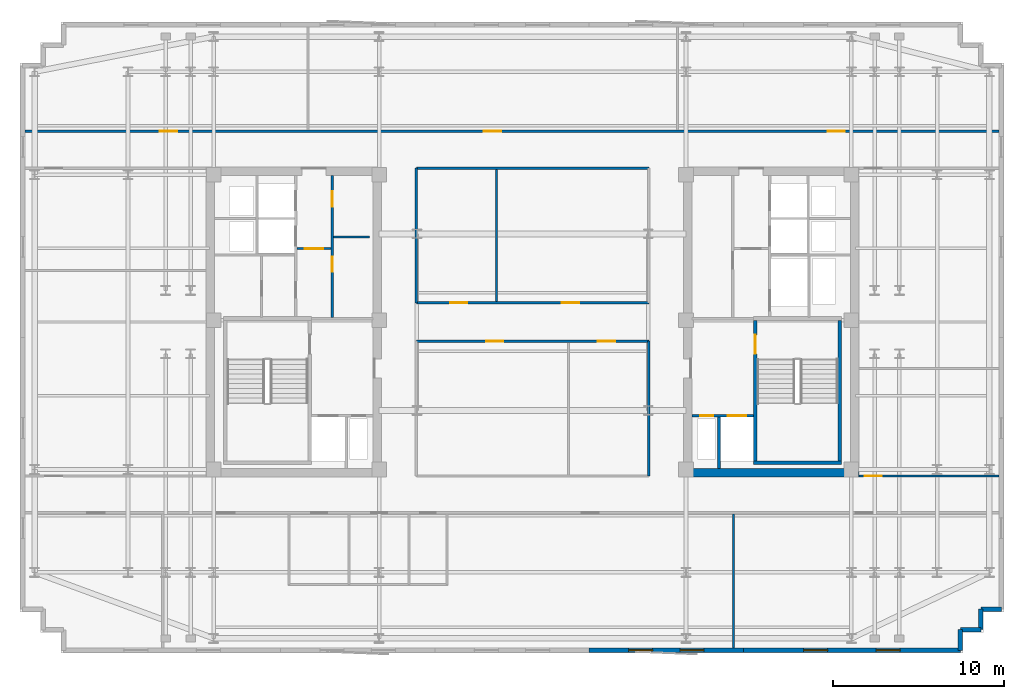
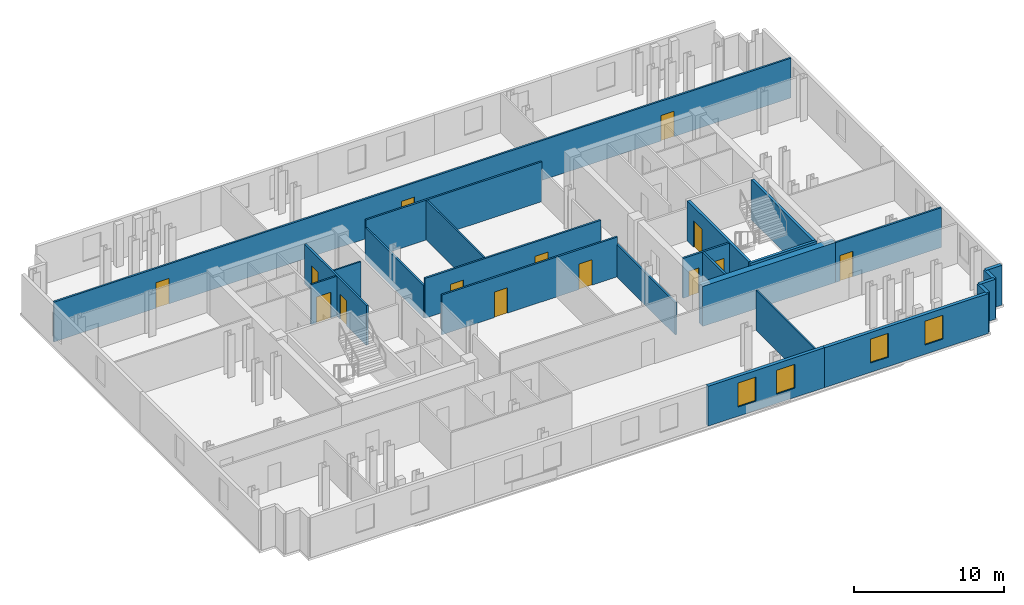
# One storey, part 5 of 9: 24 walls, 14 doors, 4 windows, 18 openings.
"""IFC4 building model written with IfcOpenShell, lengths in metres."""

from ifc_helpers import new_model, si_unit, direction, frame, frame_2d, origin, place, context, subcontext, project, spatial, rectangle, extrude, material, layer, layer_set, type_object, element, fill, save


model = new_model("IFC4")

# Units and contexts
model_context = context("Model", 3, precision=1e-05, world=origin(), true_north=direction((0.0, 1.0)))
body_context = subcontext(model_context, "Body", "Model", "MODEL_VIEW")
ifc_project = project(units=[si_unit("LENGTHUNIT", "METRE"), si_unit("AREAUNIT", "SQUARE_METRE"), si_unit("VOLUMEUNIT", "CUBIC_METRE"), si_unit("PLANEANGLEUNIT", "RADIAN"), si_unit("MASSUNIT", "GRAM", prefix="KILO")], contexts=[model_context])

# Site, building, storey
site_placement = place(None, origin())
site = spatial("IfcSite", under=ifc_project, at=site_placement, CompositionType="ELEMENT")
building_placement = place(site_placement, origin())
building = spatial("IfcBuilding", under=site, at=building_placement, Name="Velakula Bourse", CompositionType="ELEMENT")
storey_placement = place(building_placement, frame((0.0, 0.0, 211.949951171875)))
storey = spatial("IfcBuildingStorey", under=building, at=storey_placement, Name="L57", CompositionType="ELEMENT", Elevation=211.949951171875)

# Wall, opening, door
ifc_material_1 = material(Name="Concrete M50 (fck 50 MPa)", Category="concrete")
ifc_layer_1 = layer(ifc_material_1, 0.2099609375, Name="Concrete M50 (fck 50 MPa)", Category="concrete")
ifc_layer_set_1 = layer_set([ifc_layer_1], Name="Concrete M50 (fck 50 MPa)")
wall_type_1 = type_object("IfcWallType", Name="WL-CORE-210", PredefinedType="SHEAR", material=ifc_layer_set_1)
wall_1_placement = place(storey_placement, frame((12.9951171875, -8.10009765625, 0.0), z_axis=(0.0, 0.0, 1.0), x_axis=(0.0, 1.0, 0.0)))
wall_1 = element("IfcWall", 1, at=wall_1_placement, inside=storey, type_object=wall_type_1, Name="L57 Core E Stairwell Shear Wall IN", PredefinedType="SHEAR", context=body_context, shape_type="SweptSolid", body=[
    extrude(rectangle(XDim=8.2001953125, YDim=0.2099609375, at=frame_2d((4.10009765625, 0.0))), origin(), (0.0, 0.0, 1.0), 3.27001953125),
])
opening_1_placement = place(wall_1_placement, frame((6.25, 0.0, 0.0)))
opening_1 = element("IfcOpeningElement", 2, at=opening_1_placement, cuts=wall_1, Name="Opening D-STE1", PredefinedType="OPENING", context=body_context, shape_type="SweptSolid", body=[
    extrude(rectangle(XDim=1.10009765625, YDim=2.14990234375, at=frame_2d((0.550048828125, 1.074951171875))), frame((0.0, 0.114990234375, 0.0), z_axis=(0.0, -1.0, 0.0), x_axis=(1.0, 0.0, 0.0)), (0.0, 0.0, 1.0), 0.22998046875),
])
ifc_material_2 = material(Name="Galvanised painted hollow steel fire door", Category="steel")
door_type_1 = type_object("IfcDoorType", Name="DR-FD120-1100x2150", OperationType="NOTDEFINED", PredefinedType="DOOR", material=ifc_material_2)
door_1_placement = place(opening_1_placement, origin())
door_1 = element("IfcDoor", 3, at=door_1_placement, inside=storey, type_object=door_type_1, Name="L57 Stair ST-E1 Fire Door", OperationType="SINGLE_SWING_RIGHT", OverallHeight=2.14990234375, OverallWidth=1.10009765625, PredefinedType="DOOR", context=body_context, shape_type="SweptSolid", body=[
    extrude(rectangle(XDim=1.10009765625, YDim=2.14990234375, at=frame_2d((0.550048828125, 1.074951171875))), frame((0.0, 0.02490234375, 0.0), z_axis=(0.0, -1.0, 0.0), x_axis=(1.0, 0.0, 0.0)), (0.0, 0.0, 1.0), 0.050048828125),
])
fill(opening_1, door_1)

# Walls
wall_2_placement = place(storey_placement, frame((17.925048828125, -8.10009765625, 0.0), z_axis=(0.0, 0.0, 1.0), x_axis=(0.0, 1.0, 0.0)))
element("IfcWall", 4, at=wall_2_placement, inside=storey, type_object=wall_type_1, Name="L57 Core E Stairwell Shear Wall OUT", PredefinedType="SHEAR", context=body_context, shape_type="SweptSolid", body=[
    extrude(rectangle(XDim=8.2001953125, YDim=0.2099609375, at=frame_2d((4.10009765625, 0.0))), origin(), (0.0, 0.0, 1.0), 3.27001953125),
])
wall_3_placement = place(storey_placement, frame((12.889892578125, -8.205078125, 0.0), z_axis=(0.0, 0.0, 1.0), x_axis=(1.0, 0.0, 0.0)))
element("IfcWall", 5, at=wall_3_placement, inside=storey, type_object=wall_type_1, Name="L57 Core E Stairwell Shear Wall S", PredefinedType="SHEAR", context=body_context, shape_type="SweptSolid", body=[
    extrude(rectangle(XDim=5.14013671875, YDim=0.2099609375, at=frame_2d((2.570068359375, 0.0))), origin(), (0.0, 0.0, 1.0), 3.27001953125),
])
ifc_layer_2 = layer(ifc_material_1, 0.5, Name="Concrete M50 (fck 50 MPa)", Category="concrete")
ifc_layer_set_2 = layer_set([ifc_layer_2], Name="Concrete M50 (fck 50 MPa)")
wall_type_2 = type_object("IfcWallType", Name="WL-CORE-500", PredefinedType="SHEAR", material=ifc_layer_set_2)
wall_4_placement = place(storey_placement, frame((8.800048828125, -8.800048828125, 0.0), z_axis=(0.0, 0.0, 1.0), x_axis=(1.0, 0.0, 0.0)))
element("IfcWall", 6, at=wall_4_placement, inside=storey, type_object=wall_type_2, Name="L57 Core E Shear Wall S", PredefinedType="SHEAR", context=body_context, shape_type="SweptSolid", body=[
    extrude(rectangle(XDim=10.25, YDim=0.5, at=frame_2d((5.125, 0.0))), origin(), (0.0, 0.0, 1.0), 3.27001953125),
])

# Wall, openings, windows
ifc_material_3 = material(Name="Buff kilned clay facing brick masonry", Category="masonry")
ifc_layer_3 = layer(ifc_material_3, 0.260009765625, Name="Buff kilned clay facing brick masonry", Category="masonry")
ifc_layer_set_3 = layer_set([ifc_layer_3], Name="Buff kilned clay facing brick masonry")
wall_type_3 = type_object("IfcWallType", Name="WL-EXT-BRK-260", PredefinedType="STANDARD", material=ifc_layer_set_3)
wall_5_placement = place(storey_placement, frame((12.300048828125, -19.14990234375, 0.0), z_axis=(0.0, 0.0, 1.0), x_axis=(-1.0, 0.0, 0.0)))
wall_5 = element("IfcWall", 7, at=wall_5_placement, inside=storey, type_object=wall_type_3, Name="L57 S Brick Spandrel Wall B4", PredefinedType="STANDARD", context=body_context, shape_type="SweptSolid", body=[
    extrude(rectangle(XDim=9.0, YDim=0.260009765625, at=frame_2d((4.5, 0.0))), origin(), (0.0, 0.0, 1.0), 3.25),
])
opening_2_placement = place(wall_5_placement, frame((2.300048828125, 0.0, 0.760009765625)))
opening_2 = element("IfcOpeningElement", 8, at=opening_2_placement, cuts=wall_5, Name="Opening W-03", PredefinedType="OPENING", context=body_context, shape_type="SweptSolid", body=[
    extrude(rectangle(XDim=1.39990234375, YDim=1.949951171875, at=frame_2d((0.699951171875, 0.97509765625))), frame((0.0, 0.139892578125, 0.0), z_axis=(0.0, -1.0, 0.0), x_axis=(1.0, 0.0, 0.0)), (0.0, 0.0, 1.0), 0.280029296875),
])
opening_3_placement = place(wall_5_placement, frame((5.300048828125, 0.0, 0.760009765625)))
opening_3 = element("IfcOpeningElement", 9, at=opening_3_placement, cuts=wall_5, Name="Opening W-03", PredefinedType="OPENING", context=body_context, shape_type="SweptSolid", body=[
    extrude(rectangle(XDim=1.39990234375, YDim=1.949951171875, at=frame_2d((0.699951171875, 0.97509765625))), frame((0.0, 0.139892578125, 0.0), z_axis=(0.0, -1.0, 0.0), x_axis=(1.0, 0.0, 0.0)), (0.0, 0.0, 1.0), 0.280029296875),
])
ifc_material_4 = material(Name="Double-glazed solar-control Low-E glass", Category="glass")
window_type = type_object("IfcWindowType", Name="WIN-TWR-1400x2100", PartitioningType="SINGLE_PANEL", PredefinedType="WINDOW", material=ifc_material_4)
window_1_placement = place(opening_2_placement, origin())
window_1 = element("IfcWindow", 10, at=window_1_placement, inside=storey, type_object=window_type, Name="L57 Deep-Set Recessed Window 1", OverallHeight=1.949951171875, OverallWidth=1.39990234375, PartitioningType="SINGLE_PANEL", PredefinedType="WINDOW", context=body_context, shape_type="SweptSolid", body=[
    extrude(rectangle(XDim=1.39990234375, YDim=1.949951171875, at=frame_2d((0.699951171875, 0.97509765625))), frame((0.0, 0.030029296875, 0.0), z_axis=(0.0, -1.0, 0.0), x_axis=(1.0, 0.0, 0.0)), (0.0, 0.0, 1.0), 0.06005859375),
])
fill(opening_2, window_1)
window_2_placement = place(opening_3_placement, origin())
window_2 = element("IfcWindow", 11, at=window_2_placement, inside=storey, type_object=window_type, Name="L57 Deep-Set Recessed Window 2", OverallHeight=1.949951171875, OverallWidth=1.39990234375, PartitioningType="SINGLE_PANEL", PredefinedType="WINDOW", context=body_context, shape_type="SweptSolid", body=[
    extrude(rectangle(XDim=1.39990234375, YDim=1.949951171875, at=frame_2d((0.699951171875, 0.97509765625))), frame((0.0, 0.030029296875, 0.0), z_axis=(0.0, -1.0, 0.0), x_axis=(1.0, 0.0, 0.0)), (0.0, 0.0, 1.0), 0.06005859375),
])
fill(opening_3, window_2)

wall_6_placement = place(storey_placement, frame((24.949951171875, -19.14990234375, 0.0), z_axis=(0.0, 0.0, 1.0), x_axis=(-1.0, 0.0, 0.0)))
wall_6 = element("IfcWall", 12, at=wall_6_placement, inside=storey, type_object=wall_type_3, Name="L57 S Brick Spandrel Wall B5", PredefinedType="STANDARD", context=body_context, shape_type="SweptSolid", body=[
    extrude(rectangle(XDim=12.64990234375, YDim=0.260009765625, at=frame_2d((6.324951171875, 0.0))), origin(), (0.0, 0.0, 1.0), 3.25),
])
opening_4_placement = place(wall_6_placement, frame((3.5166015625, 0.0, 0.760009765625)))
opening_4 = element("IfcOpeningElement", 13, at=opening_4_placement, cuts=wall_6, Name="Opening W-03", PredefinedType="OPENING", context=body_context, shape_type="SweptSolid", body=[
    extrude(rectangle(XDim=1.39990234375, YDim=1.949951171875, at=frame_2d((0.699951171875, 0.97509765625))), frame((0.0, 0.139892578125, 0.0), z_axis=(0.0, -1.0, 0.0), x_axis=(1.0, 0.0, 0.0)), (0.0, 0.0, 1.0), 0.280029296875),
])
opening_5_placement = place(wall_6_placement, frame((7.7333984375, 0.0, 0.760009765625)))
opening_5 = element("IfcOpeningElement", 14, at=opening_5_placement, cuts=wall_6, Name="Opening W-03", PredefinedType="OPENING", context=body_context, shape_type="SweptSolid", body=[
    extrude(rectangle(XDim=1.39990234375, YDim=1.949951171875, at=frame_2d((0.699951171875, 0.97509765625))), frame((0.0, 0.139892578125, 0.0), z_axis=(0.0, -1.0, 0.0), x_axis=(1.0, 0.0, 0.0)), (0.0, 0.0, 1.0), 0.280029296875),
])
window_3_placement = place(opening_4_placement, origin())
window_3 = element("IfcWindow", 15, at=window_3_placement, inside=storey, type_object=window_type, Name="L57 Deep-Set Recessed Window 1", OverallHeight=1.949951171875, OverallWidth=1.39990234375, PartitioningType="SINGLE_PANEL", PredefinedType="WINDOW", context=body_context, shape_type="SweptSolid", body=[
    extrude(rectangle(XDim=1.39990234375, YDim=1.949951171875, at=frame_2d((0.699951171875, 0.97509765625))), frame((0.0, 0.030029296875, 0.0), z_axis=(0.0, -1.0, 0.0), x_axis=(1.0, 0.0, 0.0)), (0.0, 0.0, 1.0), 0.06005859375),
])
fill(opening_4, window_3)
window_4_placement = place(opening_5_placement, origin())
window_4 = element("IfcWindow", 16, at=window_4_placement, inside=storey, type_object=window_type, Name="L57 Deep-Set Recessed Window 2", OverallHeight=1.949951171875, OverallWidth=1.39990234375, PartitioningType="SINGLE_PANEL", PredefinedType="WINDOW", context=body_context, shape_type="SweptSolid", body=[
    extrude(rectangle(XDim=1.39990234375, YDim=1.949951171875, at=frame_2d((0.699951171875, 0.97509765625))), frame((0.0, 0.030029296875, 0.0), z_axis=(0.0, -1.0, 0.0), x_axis=(1.0, 0.0, 0.0)), (0.0, 0.0, 1.0), 0.06005859375),
])
fill(opening_5, window_4)

# Walls
for number, where, z_axis, x_axis, name in (
    (17, (24.949951171875, -19.14990234375, 0.0), (0.0, 0.0, 1.0), (0.0, 1.0, 0.0), "L57 Serrated Corner Brick Wall SE-1"),
    (18, (24.949951171875, -17.949951171875, 0.0), (0.0, 0.0, 1.0), (1.0, 0.0, 0.0), "L57 Serrated Corner Brick Wall SE-2"),
    (19, (26.14990234375, -17.949951171875, 0.0), (0.0, 0.0, 1.0), (0.0, 1.0, 0.0), "L57 Serrated Corner Brick Wall SE-3"),
):
    element("IfcWall", number, at=place(storey_placement, frame(where, z_axis=z_axis, x_axis=x_axis)), inside=storey, type_object=wall_type_3, Name=name, PredefinedType="STANDARD", context=body_context, shape_type="SweptSolid", body=[
        extrude(rectangle(XDim=1.199951171875, YDim=0.260009765625, at=frame_2d((0.60009765625, 0.0))), origin(), (0.0, 0.0, 1.0), 3.25),
    ])
wall_7_placement = place(storey_placement, frame((26.14990234375, -16.75, 0.0), z_axis=(0.0, 0.0, 1.0), x_axis=(1.0, 0.0, 0.0)))
element("IfcWall", 20, at=wall_7_placement, inside=storey, type_object=wall_type_3, Name="L57 Serrated Corner Brick Wall SE-4", PredefinedType="STANDARD", context=body_context, shape_type="SweptSolid", body=[
    extrude(rectangle(XDim=1.2001953125, YDim=0.260009765625, at=frame_2d((0.60009765625, 0.0))), origin(), (0.0, 0.0, 1.0), 3.25),
])

# Wall, opening, door
ifc_material_5 = material(Name="Fire-rated double-layer gypsum drywall partition", Category="gypsum")
ifc_layer_4 = layer(ifc_material_5, 0.1201171875, Name="Fire-rated double-layer gypsum drywall partition", Category="gypsum")
ifc_layer_set_4 = layer_set([ifc_layer_4], Name="Fire-rated double-layer gypsum drywall partition")
wall_type_4 = type_object("IfcWallType", Name="WL-PART-120", PredefinedType="STANDARD", material=ifc_layer_set_4)
wall_8_placement = place(storey_placement, frame((-13.75, 4.280029296875, 0.0), z_axis=(0.0, 0.0, 1.0), x_axis=(1.0, 0.0, 0.0)))
wall_8 = element("IfcWall", 21, at=wall_8_placement, inside=storey, type_object=wall_type_4, Name="L57 Interior Partition WL-CRW-L57-LL-K2", PredefinedType="STANDARD", context=body_context, shape_type="SweptSolid", body=[
    extrude(rectangle(XDim=2.0, YDim=0.1201171875, at=frame_2d((1.0, 0.0))), origin(), (0.0, 0.0, 1.0), 3.25),
])
opening_6_placement = place(wall_8_placement, frame((0.449951171875, 0.0, 0.0)))
opening_6 = element("IfcOpeningElement", 22, at=opening_6_placement, cuts=wall_8, Name="Opening D-LK2", PredefinedType="OPENING", context=body_context, shape_type="SweptSolid", body=[
    extrude(rectangle(XDim=1.10009765625, YDim=2.10009765625, at=frame_2d((0.550048828125, 1.050048828125))), frame((0.0, 0.070068359375, 0.0), z_axis=(0.0, -1.0, 0.0), x_axis=(1.0, 0.0, 0.0)), (0.0, 0.0, 1.0), 0.14013671875),
])
ifc_material_6 = material(Name="Fire-rated hardwood flush architectural door", Category="wood")
door_type_2 = type_object("IfcDoorType", Name="DR-FD60-1100x2100", OperationType="NOTDEFINED", PredefinedType="DOOR", material=ifc_material_6)
door_2_placement = place(opening_6_placement, origin())
door_2 = element("IfcDoor", 23, at=door_2_placement, inside=storey, type_object=door_type_2, Name="L57 Core W Lift Lobby Zone Door", OperationType="SINGLE_SWING_RIGHT", OverallHeight=2.10009765625, OverallWidth=1.10009765625, PredefinedType="DOOR", context=body_context, shape_type="SweptSolid", body=[
    extrude(rectangle(XDim=1.10009765625, YDim=2.10009765625, at=frame_2d((0.550048828125, 1.050048828125))), frame((0.0, 0.02490234375, 0.0), z_axis=(0.0, -1.0, 0.0), x_axis=(1.0, 0.0, 0.0)), (0.0, 0.0, 1.0), 0.050048828125),
])
fill(opening_6, door_2)

# Walls
wall_9_placement = place(storey_placement, frame((-11.60009765625, 4.949951171875, 0.0), z_axis=(0.0, 0.0, 1.0), x_axis=(1.0, 0.0, 0.0)))
element("IfcWall", 24, at=wall_9_placement, inside=storey, type_object=wall_type_4, Name="L57 Interior Partition WL-CRW-L57-RCDIV", PredefinedType="STANDARD", context=body_context, shape_type="SweptSolid", body=[
    extrude(rectangle(XDim=2.10009765625, YDim=0.1201171875, at=frame_2d((1.050048828125, 0.0))), origin(), (0.0, 0.0, 1.0), 3.25),
])
wall_10_placement = place(storey_placement, frame((11.722900390625, -19.02001953125, 0.0), z_axis=(0.0, 0.0, 1.0), x_axis=(0.0, 1.0, 0.0)))
element("IfcWall", 25, at=wall_10_placement, inside=storey, type_object=wall_type_4, Name="L57 Interior Partition WL-INT-L57-SR-D6", PredefinedType="STANDARD", context=body_context, shape_type="SweptSolid", body=[
    extrude(rectangle(XDim=7.830078125, YDim=0.1201171875, at=frame_2d((3.9150390625, 0.0))), origin(), (0.0, 0.0, 1.0), 3.25),
])

# Wall, openings, doors
ifc_layer_5 = layer(ifc_material_5, 0.139892578125, Name="Fire-rated double-layer gypsum drywall partition", Category="gypsum")
ifc_layer_set_5 = layer_set([ifc_layer_5], Name="Fire-rated double-layer gypsum drywall partition")
wall_type_5 = type_object("IfcWallType", Name="WL-PART-140", PredefinedType="STANDARD", material=ifc_layer_set_5)
wall_11_placement = place(storey_placement, frame((-29.6201171875, 11.1201171875, 0.0), z_axis=(0.0, 0.0, 1.0), x_axis=(1.0, 0.0, 0.0)))
wall_11 = element("IfcWall", 26, at=wall_11_placement, inside=storey, type_object=wall_type_5, Name="L57 Interior Partition WL-INT-L57-N-CORR", PredefinedType="STANDARD", context=body_context, shape_type="SweptSolid", body=[
    extrude(rectangle(XDim=56.840087890625, YDim=0.139892578125, at=frame_2d((28.419921875, 0.0))), origin(), (0.0, 0.0, 1.0), 3.25),
])
opening_7_placement = place(wall_11_placement, frame((7.880615234375, 0.0, 0.0)))
opening_7 = element("IfcOpeningElement", 27, at=opening_7_placement, cuts=wall_11, Name="Opening D-OF1", PredefinedType="OPENING", context=body_context, shape_type="SweptSolid", body=[
    extrude(rectangle(XDim=1.0, YDim=2.080078125, at=frame_2d((0.5, 1.0400390625))), frame((0.0, 0.079833984375, 0.0), z_axis=(0.0, -1.0, 0.0), x_axis=(1.0, 0.0, 0.0)), (0.0, 0.0, 1.0), 0.159912109375),
])
opening_8_placement = place(wall_11_placement, frame((26.785400390625, 0.0, 0.0)))
opening_8 = element("IfcOpeningElement", 28, at=opening_8_placement, cuts=wall_11, Name="Opening D-OF1", PredefinedType="OPENING", context=body_context, shape_type="SweptSolid", body=[
    extrude(rectangle(XDim=1.0, YDim=2.080078125, at=frame_2d((0.5, 1.0400390625))), frame((0.0, 0.079833984375, 0.0), z_axis=(0.0, -1.0, 0.0), x_axis=(1.0, 0.0, 0.0)), (0.0, 0.0, 1.0), 0.159912109375),
])
opening_9_placement = place(wall_11_placement, frame((46.824951171875, 0.0, 0.0)))
opening_9 = element("IfcOpeningElement", 29, at=opening_9_placement, cuts=wall_11, Name="Opening D-OF1", PredefinedType="OPENING", context=body_context, shape_type="SweptSolid", body=[
    extrude(rectangle(XDim=1.0, YDim=2.080078125, at=frame_2d((0.5, 1.0400390625))), frame((0.0, 0.079833984375, 0.0), z_axis=(0.0, -1.0, 0.0), x_axis=(1.0, 0.0, 0.0)), (0.0, 0.0, 1.0), 0.159912109375),
])
door_type_3 = type_object("IfcDoorType", Name="DR-OFF-1000", OperationType="NOTDEFINED", PredefinedType="DOOR", material=ifc_material_6)
door_3_placement = place(opening_7_placement, origin())
door_3 = element("IfcDoor", 30, at=door_3_placement, inside=storey, type_object=door_type_3, Name="L57 ETF Market-Making Workspace Door", OperationType="SINGLE_SWING_LEFT", OverallHeight=2.080078125, OverallWidth=1.0, PredefinedType="DOOR", context=body_context, shape_type="SweptSolid", body=[
    extrude(rectangle(XDim=1.0, YDim=2.080078125, at=frame_2d((0.5, 1.0400390625))), frame((0.0, 0.02490234375, 0.0), z_axis=(0.0, -1.0, 0.0), x_axis=(1.0, 0.0, 0.0)), (0.0, 0.0, 1.0), 0.050048828125),
])
fill(opening_7, door_3)
door_4_placement = place(opening_8_placement, origin())
door_4 = element("IfcDoor", 31, at=door_4_placement, inside=storey, type_object=door_type_3, Name="L57 Peer Review Boardroom Door", OperationType="SINGLE_SWING_RIGHT", OverallHeight=2.080078125, OverallWidth=1.0, PredefinedType="DOOR", context=body_context, shape_type="SweptSolid", body=[
    extrude(rectangle(XDim=1.0, YDim=2.080078125, at=frame_2d((0.5, 1.0400390625))), frame((0.0, 0.02490234375, 0.0), z_axis=(0.0, -1.0, 0.0), x_axis=(1.0, 0.0, 0.0)), (0.0, 0.0, 1.0), 0.050048828125),
])
fill(opening_8, door_4)
door_5_placement = place(opening_9_placement, origin())
door_5 = element("IfcDoor", 32, at=door_5_placement, inside=storey, type_object=door_type_3, Name="L57 Catering Servery Pantry Door", OperationType="SINGLE_SWING_LEFT", OverallHeight=2.080078125, OverallWidth=1.0, PredefinedType="DOOR", context=body_context, shape_type="SweptSolid", body=[
    extrude(rectangle(XDim=1.0, YDim=2.080078125, at=frame_2d((0.5, 1.0400390625))), frame((0.0, 0.02490234375, 0.0), z_axis=(0.0, -1.0, 0.0), x_axis=(1.0, 0.0, 0.0)), (0.0, 0.0, 1.0), 0.050048828125),
])
fill(opening_9, door_5)

# Wall, opening, door
wall_12_placement = place(storey_placement, frame((19.050048828125, -8.97998046875, 0.0), z_axis=(0.0, 0.0, 1.0), x_axis=(1.0, 0.0, 0.0)))
wall_12 = element("IfcWall", 33, at=wall_12_placement, inside=storey, type_object=wall_type_5, Name="L57 Interior Partition WL-INT-L57-E-SC", PredefinedType="STANDARD", context=body_context, shape_type="SweptSolid", body=[
    extrude(rectangle(XDim=8.169921875, YDim=0.139892578125, at=frame_2d((4.0849609375, 0.0))), origin(), (0.0, 0.0, 1.0), 3.25),
])
opening_10_placement = place(wall_12_placement, frame((0.320068359375, 0.0, 0.0)))
opening_10 = element("IfcOpeningElement", 34, at=opening_10_placement, cuts=wall_12, Name="Opening D-OF1", PredefinedType="OPENING", context=body_context, shape_type="SweptSolid", body=[
    extrude(rectangle(XDim=1.0, YDim=2.080078125, at=frame_2d((0.5, 1.0400390625))), frame((0.0, 0.079833984375, 0.0), z_axis=(0.0, -1.0, 0.0), x_axis=(1.0, 0.0, 0.0)), (0.0, 0.0, 1.0), 0.159912109375),
])
door_6_placement = place(opening_10_placement, origin())
door_6 = element("IfcDoor", 35, at=door_6_placement, inside=storey, type_object=door_type_3, Name="L57 ESG Rating Analytics Workspace Door", OperationType="SINGLE_SWING_RIGHT", OverallHeight=2.080078125, OverallWidth=1.0, PredefinedType="DOOR", context=body_context, shape_type="SweptSolid", body=[
    extrude(rectangle(XDim=1.0, YDim=2.080078125, at=frame_2d((0.5, 1.0400390625))), frame((0.0, 0.02490234375, 0.0), z_axis=(0.0, -1.0, 0.0), x_axis=(1.0, 0.0, 0.0)), (0.0, 0.0, 1.0), 0.050048828125),
])
fill(opening_10, door_6)

# Wall, openings, doors
wall_13_placement = place(storey_placement, frame((-6.780029296875, 1.1201171875, 0.0), z_axis=(0.0, 0.0, 1.0), x_axis=(1.0, 0.0, 0.0)))
wall_13 = element("IfcWall", 36, at=wall_13_placement, inside=storey, type_object=wall_type_5, Name="L57 Interior Partition WL-INT-L57-MN-IN", PredefinedType="STANDARD", context=body_context, shape_type="SweptSolid", body=[
    extrude(rectangle(XDim=13.56005859375, YDim=0.139892578125, at=frame_2d((6.780029296875, 0.0))), origin(), (0.0, 0.0, 1.0), 3.25),
])
opening_11_placement = place(wall_13_placement, frame((1.966064453125, 0.0, 0.0)))
opening_11 = element("IfcOpeningElement", 37, at=opening_11_placement, cuts=wall_13, Name="Opening D-OF1", PredefinedType="OPENING", context=body_context, shape_type="SweptSolid", body=[
    extrude(rectangle(XDim=1.0, YDim=2.080078125, at=frame_2d((0.5, 1.0400390625))), frame((0.0, 0.079833984375, 0.0), z_axis=(0.0, -1.0, 0.0), x_axis=(1.0, 0.0, 0.0)), (0.0, 0.0, 1.0), 0.159912109375),
])
opening_12_placement = place(wall_13_placement, frame((8.493896484375, 0.0, 0.0)))
opening_12 = element("IfcOpeningElement", 38, at=opening_12_placement, cuts=wall_13, Name="Opening D-OF1", PredefinedType="OPENING", context=body_context, shape_type="SweptSolid", body=[
    extrude(rectangle(XDim=1.0, YDim=2.080078125, at=frame_2d((0.5, 1.0400390625))), frame((0.0, 0.079833984375, 0.0), z_axis=(0.0, -1.0, 0.0), x_axis=(1.0, 0.0, 0.0)), (0.0, 0.0, 1.0), 0.159912109375),
])
door_7_placement = place(opening_11_placement, origin())
door_7 = element("IfcDoor", 39, at=door_7_placement, inside=storey, type_object=door_type_3, Name="L57 Primary Dealer Office Door", OperationType="SINGLE_SWING_LEFT", OverallHeight=2.080078125, OverallWidth=1.0, PredefinedType="DOOR", context=body_context, shape_type="SweptSolid", body=[
    extrude(rectangle(XDim=1.0, YDim=2.080078125, at=frame_2d((0.5, 1.0400390625))), frame((0.0, 0.02490234375, 0.0), z_axis=(0.0, -1.0, 0.0), x_axis=(1.0, 0.0, 0.0)), (0.0, 0.0, 1.0), 0.050048828125),
])
fill(opening_11, door_7)
door_8_placement = place(opening_12_placement, origin())
door_8 = element("IfcDoor", 40, at=door_8_placement, inside=storey, type_object=door_type_3, Name="L57 Compliance Review Office Door", OperationType="SINGLE_SWING_RIGHT", OverallHeight=2.080078125, OverallWidth=1.0, PredefinedType="DOOR", context=body_context, shape_type="SweptSolid", body=[
    extrude(rectangle(XDim=1.0, YDim=2.080078125, at=frame_2d((0.5, 1.0400390625))), frame((0.0, 0.02490234375, 0.0), z_axis=(0.0, -1.0, 0.0), x_axis=(1.0, 0.0, 0.0)), (0.0, 0.0, 1.0), 0.050048828125),
])
fill(opening_12, door_8)

# Walls
wall_14_placement = place(storey_placement, frame((-6.780029296875, 8.97998046875, 0.0), z_axis=(0.0, 0.0, 1.0), x_axis=(1.0, 0.0, 0.0)))
element("IfcWall", 41, at=wall_14_placement, inside=storey, type_object=wall_type_5, Name="L57 Interior Partition WL-INT-L57-MN-OUT", PredefinedType="STANDARD", context=body_context, shape_type="SweptSolid", body=[
    extrude(rectangle(XDim=13.56005859375, YDim=0.139892578125, at=frame_2d((6.780029296875, 0.0))), origin(), (0.0, 0.0, 1.0), 3.25),
])
wall_15_placement = place(storey_placement, frame((-6.780029296875, 1.1201171875, 0.0), z_axis=(0.0, 0.0, 1.0), x_axis=(0.0, 1.0, 0.0)))
element("IfcWall", 42, at=wall_15_placement, inside=storey, type_object=wall_type_5, Name="L57 Interior Partition WL-INT-L57-MN-W", PredefinedType="STANDARD", context=body_context, shape_type="SweptSolid", body=[
    extrude(rectangle(XDim=7.85986328125, YDim=0.139892578125, at=frame_2d((3.929931640625, 0.0))), origin(), (0.0, 0.0, 1.0), 2.64501953125),
])
wall_16_placement = place(storey_placement, frame((-2.10009765625, 1.18994140625, 0.0), z_axis=(0.0, 0.0, 1.0), x_axis=(0.0, 1.0, 0.0)))
element("IfcWall", 43, at=wall_16_placement, inside=storey, type_object=wall_type_5, Name="L57 Interior Partition WL-INT-L57-MN-V1", PredefinedType="STANDARD", context=body_context, shape_type="SweptSolid", body=[
    extrude(rectangle(XDim=7.719970703125, YDim=0.1201171875, at=frame_2d((3.85986328125, 0.0))), origin(), (0.0, 0.0, 1.0), 3.25),
])

# Wall, openings, doors
wall_17_placement = place(storey_placement, frame((-6.780029296875, -1.1201171875, 0.0), z_axis=(0.0, 0.0, 1.0), x_axis=(1.0, 0.0, 0.0)))
wall_17 = element("IfcWall", 44, at=wall_17_placement, inside=storey, type_object=wall_type_5, Name="L57 Interior Partition WL-INT-L57-MS-IN", PredefinedType="STANDARD", context=body_context, shape_type="SweptSolid", body=[
    extrude(rectangle(XDim=13.56005859375, YDim=0.139892578125, at=frame_2d((6.780029296875, 0.0))), origin(), (0.0, 0.0, 1.0), 3.25),
])
opening_13_placement = place(wall_17_placement, frame((4.06591796875, 0.0, 0.0)))
opening_13 = element("IfcOpeningElement", 45, at=opening_13_placement, cuts=wall_17, Name="Opening D-OF1", PredefinedType="OPENING", context=body_context, shape_type="SweptSolid", body=[
    extrude(rectangle(XDim=1.0, YDim=2.080078125, at=frame_2d((0.5, 1.0400390625))), frame((0.0, 0.079833984375, 0.0), z_axis=(0.0, -1.0, 0.0), x_axis=(1.0, 0.0, 0.0)), (0.0, 0.0, 1.0), 0.159912109375),
])
opening_14_placement = place(wall_17_placement, frame((10.593994140625, 0.0, 0.0)))
opening_14 = element("IfcOpeningElement", 46, at=opening_14_placement, cuts=wall_17, Name="Opening D-OF1", PredefinedType="OPENING", context=body_context, shape_type="SweptSolid", body=[
    extrude(rectangle(XDim=1.0, YDim=2.080078125, at=frame_2d((0.5, 1.0400390625))), frame((0.0, 0.079833984375, 0.0), z_axis=(0.0, -1.0, 0.0), x_axis=(1.0, 0.0, 0.0)), (0.0, 0.0, 1.0), 0.159912109375),
])
door_9_placement = place(opening_13_placement, origin())
door_9 = element("IfcDoor", 47, at=door_9_placement, inside=storey, type_object=door_type_3, Name="L57 Treasury Operations Office Door", OperationType="SINGLE_SWING_LEFT", OverallHeight=2.080078125, OverallWidth=1.0, PredefinedType="DOOR", context=body_context, shape_type="SweptSolid", body=[
    extrude(rectangle(XDim=1.0, YDim=2.080078125, at=frame_2d((0.5, 1.0400390625))), frame((0.0, 0.02490234375, 0.0), z_axis=(0.0, -1.0, 0.0), x_axis=(1.0, 0.0, 0.0)), (0.0, 0.0, 1.0), 0.050048828125),
])
fill(opening_13, door_9)
door_10_placement = place(opening_14_placement, origin())
door_10 = element("IfcDoor", 48, at=door_10_placement, inside=storey, type_object=door_type_3, Name="L57 Bullion Assay Office Door", OperationType="SINGLE_SWING_RIGHT", OverallHeight=2.080078125, OverallWidth=1.0, PredefinedType="DOOR", context=body_context, shape_type="SweptSolid", body=[
    extrude(rectangle(XDim=1.0, YDim=2.080078125, at=frame_2d((0.5, 1.0400390625))), frame((0.0, 0.02490234375, 0.0), z_axis=(0.0, -1.0, 0.0), x_axis=(1.0, 0.0, 0.0)), (0.0, 0.0, 1.0), 0.050048828125),
])
fill(opening_14, door_10)

# Wall
wall_18_placement = place(storey_placement, frame((6.780029296875, -8.97998046875, 0.0), z_axis=(0.0, 0.0, 1.0), x_axis=(0.0, 1.0, 0.0)))
element("IfcWall", 49, at=wall_18_placement, inside=storey, type_object=wall_type_5, Name="L57 Interior Partition WL-INT-L57-MS-E", PredefinedType="STANDARD", context=body_context, shape_type="SweptSolid", body=[
    extrude(rectangle(XDim=7.85986328125, YDim=0.139892578125, at=frame_2d((3.929931640625, 0.0))), origin(), (0.0, 0.0, 1.0), 2.64501953125),
])

# Wall, openings, doors
ifc_material_7 = material(Name="Autoclaved aerated concrete blockwork masonry", Category="masonry")
ifc_layer_6 = layer(ifc_material_7, 0.14990234375, Name="Autoclaved aerated concrete blockwork masonry", Category="masonry")
ifc_layer_set_6 = layer_set([ifc_layer_6], Name="Autoclaved aerated concrete blockwork masonry")
wall_type_6 = type_object("IfcWallType", Name="WL-SHAFT-150", PredefinedType="STANDARD", material=ifc_layer_set_6)
wall_19_placement = place(storey_placement, frame((-11.675048828125, 0.27001953125, 0.0), z_axis=(0.0, 0.0, 1.0), x_axis=(0.0, 1.0, 0.0)))
wall_19 = element("IfcWall", 50, at=wall_19_placement, inside=storey, type_object=wall_type_6, Name="L57 Interior Partition WL-CRW-L57-BANK-F", PredefinedType="STANDARD", context=body_context, shape_type="SweptSolid", body=[
    extrude(rectangle(XDim=8.280029296875, YDim=0.14990234375, at=frame_2d((4.14013671875, 0.0))), origin(), (0.0, 0.0, 1.0), 3.25),
])
opening_15_placement = place(wall_19_placement, frame((2.64990234375, 0.0, 0.0)))
opening_15 = element("IfcOpeningElement", 51, at=opening_15_placement, cuts=wall_19, Name="Opening D-RC1", PredefinedType="OPENING", context=body_context, shape_type="SweptSolid", body=[
    extrude(rectangle(XDim=0.89990234375, YDim=2.050048828125, at=frame_2d((0.449951171875, 1.02490234375))), frame((0.0, 0.0849609375, 0.0), z_axis=(0.0, -1.0, 0.0), x_axis=(1.0, 0.0, 0.0)), (0.0, 0.0, 1.0), 0.169921875),
])
opening_16_placement = place(wall_19_placement, frame((6.449951171875, 0.0, 0.0)))
opening_16 = element("IfcOpeningElement", 52, at=opening_16_placement, cuts=wall_19, Name="Opening D-RC1", PredefinedType="OPENING", context=body_context, shape_type="SweptSolid", body=[
    extrude(rectangle(XDim=0.89990234375, YDim=2.050048828125, at=frame_2d((0.449951171875, 1.02490234375))), frame((0.0, 0.0849609375, 0.0), z_axis=(0.0, -1.0, 0.0), x_axis=(1.0, 0.0, 0.0)), (0.0, 0.0, 1.0), 0.169921875),
])
door_type_4 = type_object("IfcDoorType", Name="DR-FD60-900", OperationType="NOTDEFINED", PredefinedType="DOOR", material=ifc_material_6)
door_11_placement = place(opening_15_placement, origin())
door_11 = element("IfcDoor", 53, at=door_11_placement, inside=storey, type_object=door_type_4, Name="L57 Reclaimed Archive Room Door", OperationType="SINGLE_SWING_RIGHT", OverallHeight=2.050048828125, OverallWidth=0.89990234375, PredefinedType="DOOR", context=body_context, shape_type="SweptSolid", body=[
    extrude(rectangle(XDim=0.89990234375, YDim=2.050048828125, at=frame_2d((0.449951171875, 1.02490234375))), frame((0.0, 0.02490234375, 0.0), z_axis=(0.0, -1.0, 0.0), x_axis=(1.0, 0.0, 0.0)), (0.0, 0.0, 1.0), 0.050048828125),
])
fill(opening_15, door_11)
door_12_placement = place(opening_16_placement, origin())
door_12 = element("IfcDoor", 54, at=door_12_placement, inside=storey, type_object=door_type_4, Name="L57 Reclaimed Registry Store Door", OperationType="SINGLE_SWING_LEFT", OverallHeight=2.050048828125, OverallWidth=0.89990234375, PredefinedType="DOOR", context=body_context, shape_type="SweptSolid", body=[
    extrude(rectangle(XDim=0.89990234375, YDim=2.050048828125, at=frame_2d((0.449951171875, 1.02490234375))), frame((0.0, 0.02490234375, 0.0), z_axis=(0.0, -1.0, 0.0), x_axis=(1.0, 0.0, 0.0)), (0.0, 0.0, 1.0), 0.050048828125),
])
fill(opening_16, door_12)

wall_20_placement = place(storey_placement, frame((9.300048828125, -5.47509765625, 0.0), z_axis=(0.0, 0.0, 1.0), x_axis=(1.0, 0.0, 0.0)))
wall_20 = element("IfcWall", 55, at=wall_20_placement, inside=storey, type_object=wall_type_6, Name="L57 Interior Partition WL-CRE-L57-FFL-N", PredefinedType="STANDARD", context=body_context, shape_type="SweptSolid", body=[
    extrude(rectangle(XDim=3.594970703125, YDim=0.14990234375, at=frame_2d((1.79736328125, 0.0))), origin(), (0.0, 0.0, 1.0), 3.25),
])
opening_17_placement = place(wall_20_placement, frame((2.074951171875, 0.0, 0.0)))
opening_17 = element("IfcOpeningElement", 56, at=opening_17_placement, cuts=wall_20, Name="Opening LD-FFL-2", PredefinedType="OPENING", context=body_context, shape_type="SweptSolid", body=[
    extrude(rectangle(XDim=1.10009765625, YDim=2.14990234375, at=frame_2d((0.550048828125, 1.074951171875))), frame((0.0, 0.0849609375, 0.0), z_axis=(0.0, -1.0, 0.0), x_axis=(1.0, 0.0, 0.0)), (0.0, 0.0, 1.0), 0.169921875),
])
opening_18_placement = place(wall_20_placement, frame((0.47509765625, 0.0, 0.0)))
opening_18 = element("IfcOpeningElement", 57, at=opening_18_placement, cuts=wall_20, Name="Opening D-RS1", PredefinedType="OPENING", context=body_context, shape_type="SweptSolid", body=[
    extrude(rectangle(XDim=0.75, YDim=2.050048828125, at=frame_2d((0.375, 1.02490234375))), frame((0.0, 0.0849609375, 0.0), z_axis=(0.0, -1.0, 0.0), x_axis=(1.0, 0.0, 0.0)), (0.0, 0.0, 1.0), 0.169921875),
])
door_type_5 = type_object("IfcDoorType", Name="DR-RISER-800", OperationType="NOTDEFINED", PredefinedType="DOOR", material=ifc_material_2)
door_13_placement = place(opening_18_placement, origin())
door_13 = element("IfcDoor", 58, at=door_13_placement, inside=storey, type_object=door_type_5, Name="L57 Fire Riser Access Door", OperationType="SINGLE_SWING_LEFT", OverallHeight=2.050048828125, OverallWidth=0.75, PredefinedType="DOOR", context=body_context, shape_type="SweptSolid", body=[
    extrude(rectangle(XDim=0.75, YDim=2.050048828125, at=frame_2d((0.375, 1.02490234375))), frame((0.0, 0.02490234375, 0.0), z_axis=(0.0, -1.0, 0.0), x_axis=(1.0, 0.0, 0.0)), (0.0, 0.0, 1.0), 0.050048828125),
])
fill(opening_18, door_13)
ifc_material_8 = material(Name="Brushed grade 316 stainless steel", Category="steel")
door_type_6 = type_object("IfcDoorType", Name="DR-SLIDE-FFL-1100", OperationType="DOUBLE_DOOR_SLIDING", PredefinedType="DOOR", material=ifc_material_8)
door_14_placement = place(opening_17_placement, origin())
door_14 = element("IfcDoor", 59, at=door_14_placement, inside=storey, type_object=door_type_6, Name="L57 Firefighting Lift FFL-2 Sliding Landing Door", OperationType="DOUBLE_DOOR_SLIDING", OverallHeight=2.14990234375, OverallWidth=1.10009765625, PredefinedType="DOOR", context=body_context, shape_type="SweptSolid", body=[
    extrude(rectangle(XDim=1.10009765625, YDim=2.14990234375, at=frame_2d((0.550048828125, 1.074951171875))), frame((0.0, 0.02490234375, 0.0), z_axis=(0.0, -1.0, 0.0), x_axis=(1.0, 0.0, 0.0)), (0.0, 0.0, 1.0), 0.050048828125),
])
fill(opening_17, door_14)

# Wall
wall_21_placement = place(storey_placement, frame((10.875, -8.550048828125, 0.0), z_axis=(0.0, 0.0, 1.0), x_axis=(0.0, 1.0, 0.0)))
element("IfcWall", 60, at=wall_21_placement, inside=storey, type_object=wall_type_6, Name="L57 Interior Partition WL-CRE-L57-FR-DIV", PredefinedType="STANDARD", context=body_context, shape_type="SweptSolid", body=[
    extrude(rectangle(XDim=3.0, YDim=0.14990234375, at=frame_2d((1.5, 0.0))), origin(), (0.0, 0.0, 1.0), 3.25),
])

save(model, "model.ifc")
